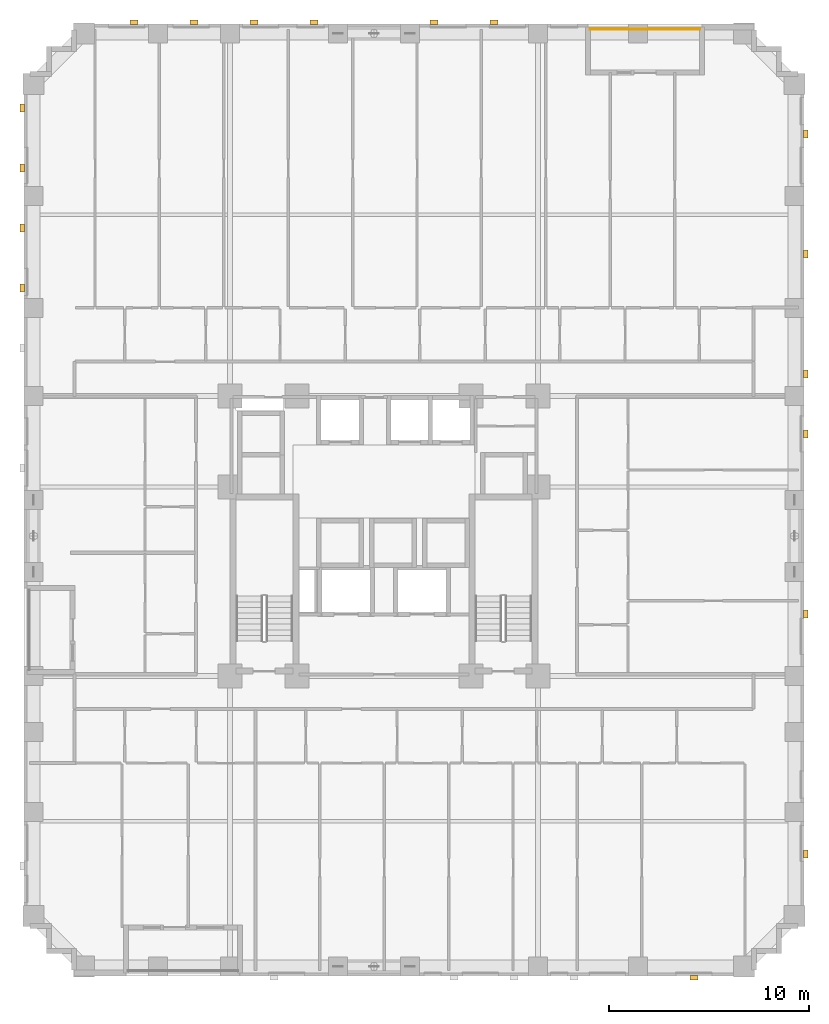
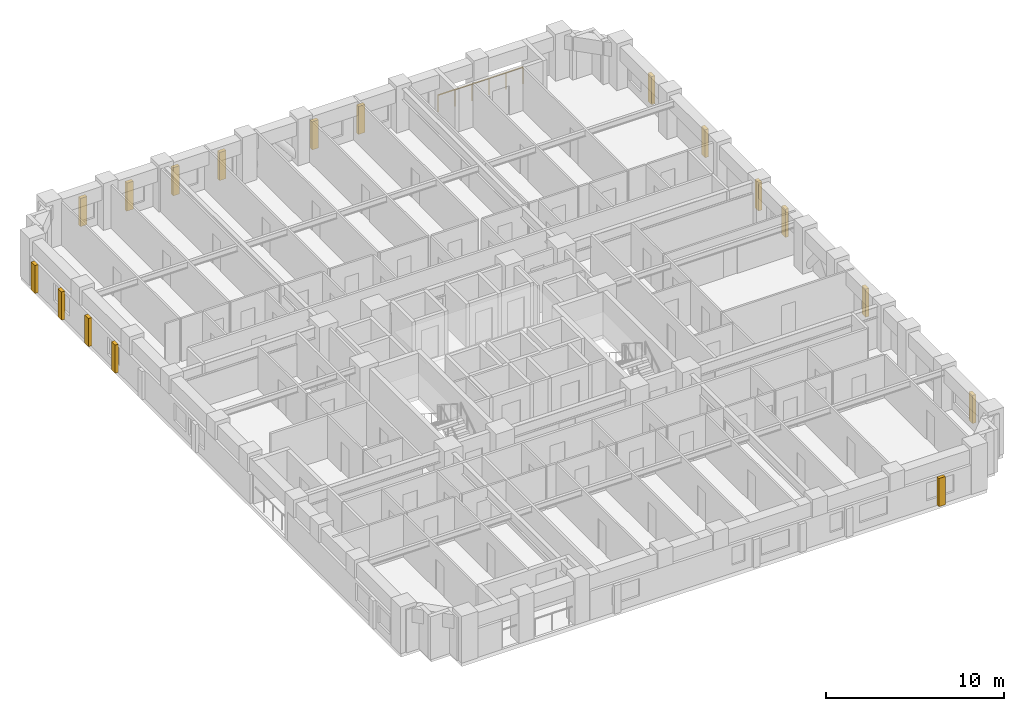
# One storey, part 14 of 14: 17 coverings, 1 railing.
"""IFC4 building model written with IfcOpenShell, lengths in metres."""

from ifc_helpers import new_model, si_unit, derived_unit, direction, frame, origin, origin_2d, place, context, subcontext, project, spatial, rectangle, circle, extrude, material, layer, layer_set, type_object, element, save


model = new_model("IFC4")

# Units and contexts
model_context = context("Model", 3, precision=1e-05, world=origin(), true_north=direction((0.0, 1.0)))
body_context = subcontext(model_context, "Body", "Model", "MODEL_VIEW")
ifc_project = project(units=[si_unit("LENGTHUNIT", "METRE"), si_unit("AREAUNIT", "SQUARE_METRE"), si_unit("VOLUMEUNIT", "CUBIC_METRE"), si_unit("PLANEANGLEUNIT", "RADIAN"), si_unit("MASSUNIT", "GRAM", prefix="KILO"), derived_unit("THERMALTRANSMITTANCEUNIT", [(si_unit("MASSUNIT", "GRAM", prefix="KILO"), 1), (si_unit("TIMEUNIT", "SECOND"), -3), (si_unit("THERMODYNAMICTEMPERATUREUNIT", "KELVIN"), -1)])], contexts=[model_context])

# Site, building, storey
site_placement = place(None, origin())
site = spatial("IfcSite", under=ifc_project, at=site_placement, CompositionType="ELEMENT")
building_placement = place(site_placement, origin())
building = spatial("IfcBuilding", under=site, at=building_placement, Name="Korrvale Station Residences", CompositionType="ELEMENT")
storey_placement = place(building_placement, frame((0.0, 0.0, 41.800048828125)))
storey = spatial("IfcBuildingStorey", under=building, at=storey_placement, Name="L10", CompositionType="ELEMENT", Elevation=41.800048828125)

# Coverings
ifc_material_1 = material(Name="Architectural precast concrete C45/55", Category="concrete")
ifc_layer = layer(ifc_material_1, 0.219970703125, Name="Architectural precast concrete C45/55")
ifc_layer_set = layer_set([ifc_layer], Name="Architectural precast concrete C45/55")
covering_type = type_object("IfcCoveringType", Name="COV-PIER-400", PredefinedType="CLADDING", material=ifc_layer_set)
for number, where, z_axis, x_axis, name in (
    (1, (41.0, -0.090087890625, 0.02490234375), (0.0, 0.0, 1.0), (1.0, 0.0, 0.0), "L10 Architectural Precast Facade Pier 01"),
    (2, (13.0, 47.68994140625, 0.02490234375), (0.0, 0.0, 1.0), (1.0, 0.0, 0.0), "L10 Architectural Precast Facade Pier 06"),
    (3, (16.0, 47.68994140625, 0.02490234375), (0.0, 0.0, 1.0), (1.0, 0.0, 0.0), "L10 Architectural Precast Facade Pier 07"),
    (4, (19.0, 47.68994140625, 0.02490234375), (0.0, 0.0, 1.0), (1.0, 0.0, 0.0), "L10 Architectural Precast Facade Pier 08"),
    (5, (22.0, 47.68994140625, 0.02490234375), (0.0, 0.0, 1.0), (1.0, 0.0, 0.0), "L10 Architectural Precast Facade Pier 09"),
    (6, (28.0, 47.68994140625, 0.02490234375), (0.0, 0.0, 1.0), (1.0, 0.0, 0.0), "L10 Architectural Precast Facade Pier 10"),
    (7, (31.0, 47.68994140625, 0.02490234375), (0.0, 0.0, 1.0), (1.0, 0.0, 0.0), "L10 Architectural Precast Facade Pier 11"),
    (8, (7.409912109375, 34.39990234375, 0.02490234375), (0.0, 0.0, 1.0), (0.0, 1.0, 0.0), "L10 Architectural Precast Facade Pier 15"),
    (9, (7.409912109375, 37.39990234375, 0.02490234375), (0.0, 0.0, 1.0), (0.0, 1.0, 0.0), "L10 Architectural Precast Facade Pier 16"),
    (10, (7.409912109375, 40.39990234375, 0.02490234375), (0.0, 0.0, 1.0), (0.0, 1.0, 0.0), "L10 Architectural Precast Facade Pier 17"),
    (11, (7.409912109375, 43.39990234375, 0.02490234375), (0.0, 0.0, 1.0), (0.0, 1.0, 0.0), "L10 Architectural Precast Facade Pier 18"),
    (12, (46.590087890625, 42.10009765625, 0.02490234375), (0.0, 0.0, 1.0), (0.0, 1.0, 0.0), "L10 Architectural Precast Facade Pier 19"),
    (13, (46.590087890625, 36.10009765625, 0.02490234375), (0.0, 0.0, 1.0), (0.0, 1.0, 0.0), "L10 Architectural Precast Facade Pier 20"),
    (14, (46.590087890625, 30.10009765625, 0.02490234375), (0.0, 0.0, 1.0), (0.0, 1.0, 0.0), "L10 Architectural Precast Facade Pier 21"),
    (15, (46.590087890625, 27.10009765625, 0.02490234375), (0.0, 0.0, 1.0), (0.0, 1.0, 0.0), "L10 Architectural Precast Facade Pier 22"),
    (16, (46.590087890625, 18.10009765625, 0.02490234375), (0.0, 0.0, 1.0), (0.0, 1.0, 0.0), "L10 Architectural Precast Facade Pier 23"),
    (17, (46.590087890625, 6.10009765625, 0.02490234375), (0.0, 0.0, 1.0), (0.0, 1.0, 0.0), "L10 Architectural Precast Facade Pier 24"),
):
    element("IfcCovering", number, at=place(storey_placement, frame(where, z_axis=z_axis, x_axis=x_axis)), inside=storey, type_object=covering_type, Name=name, PredefinedType="CLADDING", context=body_context, shape_type="SweptSolid", body=[
        extrude(rectangle(XDim=0.419921875, YDim=0.219970703125, at=origin_2d()), origin(), (0.0, 0.0, 1.0), 1.925048828125),
    ])

# Railing
ifc_material_2 = material(Name="Powder-coated aluminium picket loggia guard", Category="aluminium")
railing_type = type_object("IfcRailingType", Name="RLG-BAL-1150", PredefinedType="GUARDRAIL", material=ifc_material_2)
railing_placement = place(storey_placement, frame((35.800048828125, 47.330078125, 0.0)))
element("IfcRailing", 18, at=railing_placement, inside=storey, type_object=railing_type, Name="L10 Recessed Loggia Guardrail BAL-L10-N1", PredefinedType="GUARDRAIL", context=body_context, shape_type="SweptSolid", body=[
    extrude(circle(Radius=0.02392578125, at=origin_2d()), frame((0.0, 0.0, 1.1259765625), z_axis=(1.0, 0.0, 0.0), x_axis=(0.0, 1.0, 0.0)), (0.0, 0.0, 1.0), 5.5),
    extrude(circle(Radius=0.02099609375, at=origin_2d()), origin(), (0.0, 0.0, 1.0), 1.101806640625),
    extrude(circle(Radius=0.02099609375, at=origin_2d()), frame((1.10009765625, 0.0, 0.0)), (0.0, 0.0, 1.0), 1.101806640625),
    extrude(circle(Radius=0.02099609375, at=origin_2d()), frame((2.199951171875, 0.0, 0.0)), (0.0, 0.0, 1.0), 1.101806640625),
    extrude(circle(Radius=0.02099609375, at=origin_2d()), frame((3.300048828125, 0.0, 0.0)), (0.0, 0.0, 1.0), 1.101806640625),
    extrude(circle(Radius=0.02099609375, at=origin_2d()), frame((4.39990234375, 0.0, 0.0)), (0.0, 0.0, 1.0), 1.101806640625),
    extrude(circle(Radius=0.02099609375, at=origin_2d()), frame((5.5, 0.0, 0.0)), (0.0, 0.0, 1.0), 1.101806640625),
])

save(model, "model.ifc")
